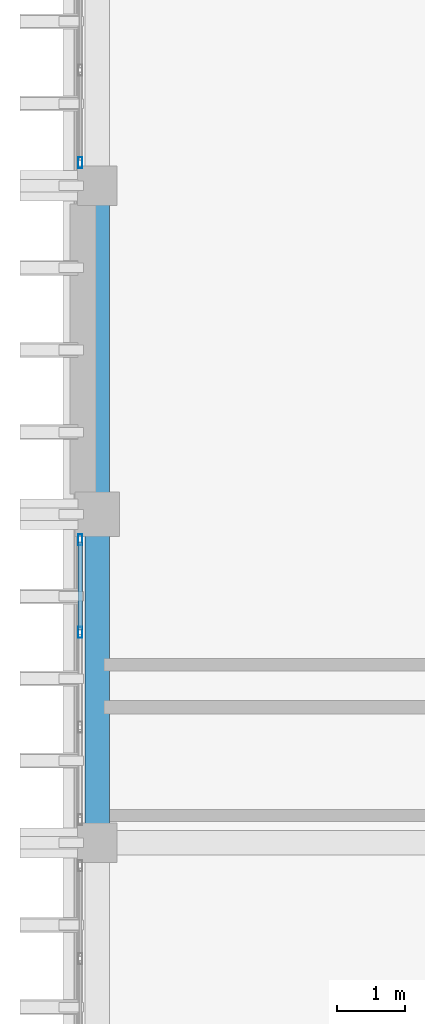
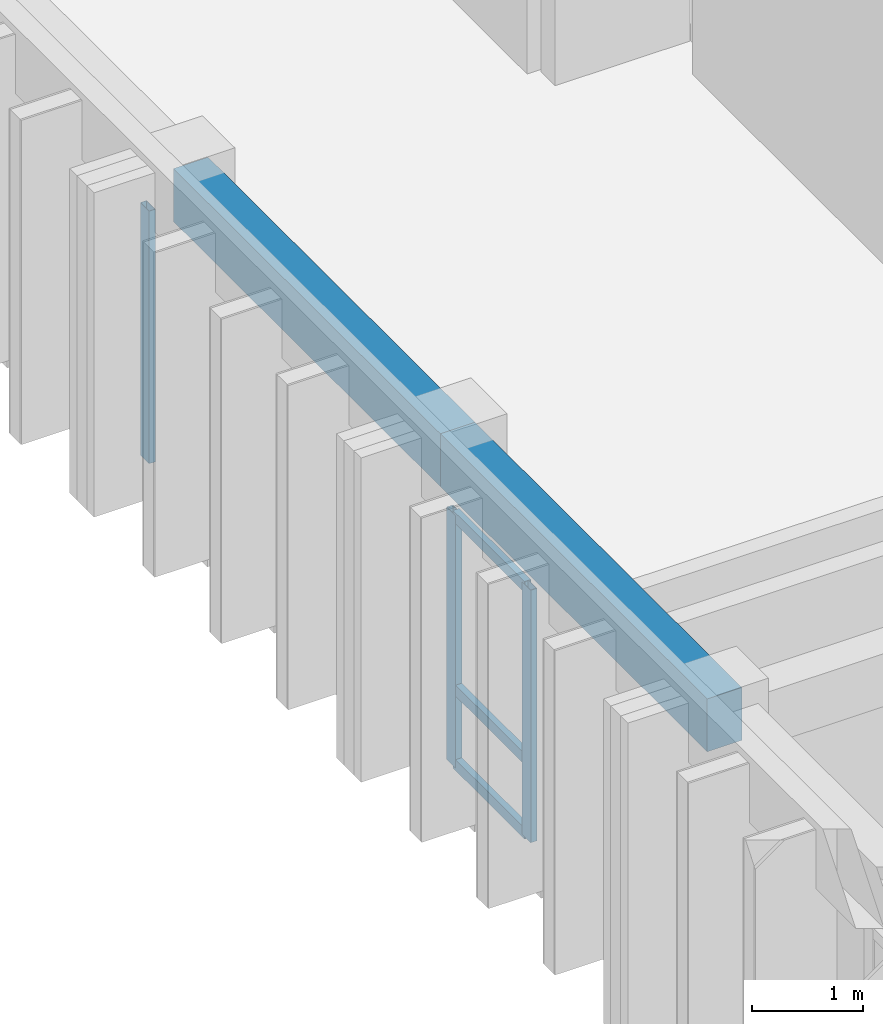
# One storey, part 26 of 49: 6 members, 2 beams, 2 elements without a shape of their own.
"""IFC4 building model written with IfcOpenShell, lengths in metres."""

from ifc_helpers import new_model, si_unit, direction, frame, origin, origin_2d, place, context, subcontext, project, spatial, rectangle, hollow_rectangle, extrude, material, layer, layer_set, material_profile, profile_set, type_object, element, aggregate, save


model = new_model("IFC4")

# Units and contexts
model_context = context("Model", 3, precision=1e-05, world=origin(), true_north=direction((0.0, 1.0)))
body_context = subcontext(model_context, "Body", "Model", "MODEL_VIEW")
ifc_project = project(units=[si_unit("LENGTHUNIT", "METRE"), si_unit("AREAUNIT", "SQUARE_METRE"), si_unit("VOLUMEUNIT", "CUBIC_METRE"), si_unit("PLANEANGLEUNIT", "RADIAN"), si_unit("MASSUNIT", "GRAM", prefix="KILO")], contexts=[model_context])

# Site, building, storey
site_placement = place(None, origin())
site = spatial("IfcSite", under=ifc_project, at=site_placement, CompositionType="ELEMENT")
building_placement = place(site_placement, origin())
building = spatial("IfcBuilding", under=site, at=building_placement, Name="Nakhvara Creek Congress Hotel", CompositionType="ELEMENT")
storey_placement = place(building_placement, frame((0.0, 0.0, 39.0)))
storey = spatial("IfcBuildingStorey", under=building, at=storey_placement, Name="L09", CompositionType="ELEMENT", Elevation=39.0)

# Beams
ifc_material_1 = material(Name="Concrete C40/50", Category="concrete")
ifc_material_profile_1 = material_profile(ifc_material_1, rectangle(XDim=0.360107421875, YDim=0.580078125, at=origin_2d()), Name="RC-BM 360x580", Category="LoadBearing")
ifc_profile_set_1 = profile_set([ifc_material_profile_1], Name="Concrete C40/50")
beam_type = type_object("IfcBeamType", Name="BM-RC-360X580", PredefinedType="BEAM", material=ifc_profile_set_1)
beam_1_placement = place(storey_placement, frame((149.449951171875, 100.800048828125, 3.070068359375), z_axis=(0.0, 1.0, 0.0), x_axis=(-1.0, 0.0, 0.0)))
element("IfcBeam", 1, at=beam_1_placement, inside=storey, type_object=beam_type, Name="Beam B09-L09-2546", PredefinedType="BEAM", context=body_context, shape_type="SweptSolid", body=[
    extrude(rectangle(XDim=0.360107421875, YDim=0.580078125, at=origin_2d()), origin(), (0.0, 0.0, 1.0), 4.800048828125),
])
beam_2_placement = place(storey_placement, frame((149.449951171875, 105.60009765625, 3.070068359375), z_axis=(0.0, 1.0, 0.0), x_axis=(-1.0, 0.0, 0.0)))
element("IfcBeam", 2, at=beam_2_placement, inside=storey, type_object=beam_type, Name="Beam B09-L09-2547", PredefinedType="BEAM", context=body_context, shape_type="SweptSolid", body=[
    extrude(rectangle(XDim=0.360107421875, YDim=0.580078125, at=origin_2d()), origin(), (0.0, 0.0, 1.0), 4.7998046875),
])

# Curtain wall, members
ifc_material_2 = material(Name="Bronze-anodised aluminium AW-6063-T6 and double-silver low-E glass", Category="aluminium")
ifc_layer = layer(ifc_material_2, 0.199951171875)
ifc_layer_set = layer_set([ifc_layer], Name="Bronze-anodised aluminium AW-6063-T6 and double-silver low-E glass")
curtain_wall_type = type_object("IfcCurtainWallType", Name="CW-HTL-UNIT", PredefinedType="USERDEFINED", material=ifc_layer_set)
curtain_wall_1_placement = place(storey_placement, origin())
curtain_wall_1 = element("IfcCurtainWall", 3, at=curtain_wall_1_placement, inside=storey, type_object=curtain_wall_type, Name="Curtain Wall CW308", ObjectType="UNITISED", PredefinedType="USERDEFINED")
ifc_material_3 = material(Name="Bronze-anodised aluminium AW-6063-T6", Category="aluminium")
ifc_material_profile_2 = material_profile(ifc_material_3, hollow_rectangle(XDim=0.06494140625, YDim=0.159912109375, WallThickness=0.00390625, at=origin_2d()), Name="ALU-MULL 65x160x4", Category="LoadBearing")
ifc_profile_set_2 = profile_set([ifc_material_profile_2], Name="Bronze-anodised aluminium AW-6063-T6")
member_type_1 = type_object("IfcMemberType", Name="CW-MULL-160", PredefinedType="MULLION", material=ifc_profile_set_2)
member_1_placement = place(storey_placement, frame((149.199951171875, 103.875, 0.0), z_axis=(0.0, 0.0, 1.0), x_axis=(-1.0, 0.0, 0.0)))
member_1 = element("IfcMember", 4, at=member_1_placement, type_object=member_type_1, Name="CW308 mullion 3", PredefinedType="MULLION", context=body_context, shape_type="SweptSolid", body=[
    extrude(hollow_rectangle(XDim=0.06494140625, YDim=0.159912109375, WallThickness=0.00390625, at=origin_2d()), origin(), (0.0, 0.0, 1.0), 2.77197265625),
])
member_2_placement = place(storey_placement, frame((149.199951171875, 105.2275390625, 0.0), z_axis=(0.0, 0.0, 1.0), x_axis=(-1.0, 0.0, 0.0)))
member_2 = element("IfcMember", 5, at=member_2_placement, type_object=member_type_1, Name="CW308 mullion 4", PredefinedType="MULLION", context=body_context, shape_type="SweptSolid", body=[
    extrude(hollow_rectangle(XDim=0.06494140625, YDim=0.159912109375, WallThickness=0.00390625, at=origin_2d()), origin(), (0.0, 0.0, 1.0), 2.77197265625),
])

# Curtain wall, member
curtain_wall_2_placement = place(storey_placement, origin())
curtain_wall_2 = element("IfcCurtainWall", 6, at=curtain_wall_2_placement, inside=storey, type_object=curtain_wall_type, Name="Curtain Wall CW310", ObjectType="UNITISED", PredefinedType="USERDEFINED")
member_3_placement = place(storey_placement, frame((149.199951171875, 110.737548828125, 0.0), z_axis=(0.0, 0.0, 1.0), x_axis=(-1.0, 0.0, 0.0)))
member_3 = element("IfcMember", 7, at=member_3_placement, type_object=member_type_1, Name="CW310 mullion 1", PredefinedType="MULLION", context=body_context, shape_type="SweptSolid", body=[
    extrude(hollow_rectangle(XDim=0.06494140625, YDim=0.159912109375, WallThickness=0.00390625, at=origin_2d()), origin(), (0.0, 0.0, 1.0), 2.77197265625),
])
aggregate(curtain_wall_2, [member_3])

# Member
ifc_material_profile_3 = material_profile(ifc_material_3, hollow_rectangle(XDim=0.06494140625, YDim=0.1201171875, WallThickness=0.00390625, at=origin_2d()), Name="ALU-TRAN 65x120x4", Category="LoadBearing")
ifc_profile_set_3 = profile_set([ifc_material_profile_3], Name="Bronze-anodised aluminium AW-6063-T6")
member_type_2 = type_object("IfcMemberType", Name="CW-TRAN-120", PredefinedType="USERDEFINED", material=ifc_profile_set_3)
member_4_placement = place(storey_placement, frame((149.199951171875, 103.907470703125, 0.032470703125), z_axis=(0.0, 1.0, 0.0), x_axis=(-1.0, 0.0, 0.0)))
member_4 = element("IfcMember", 8, at=member_4_placement, type_object=member_type_2, Name="CW308 transom 3.1", ObjectType="TRANSOM", PredefinedType="USERDEFINED", context=body_context, shape_type="SweptSolid", body=[
    extrude(hollow_rectangle(XDim=0.06494140625, YDim=0.1201171875, WallThickness=0.00390625, at=origin_2d()), origin(), (0.0, 0.0, 1.0), 1.28759765625),
])

member_5_placement = place(storey_placement, frame((149.199951171875, 103.907470703125, 0.85009765625), z_axis=(0.0, 1.0, 0.0), x_axis=(-1.0, 0.0, 0.0)))
member_5 = element("IfcMember", 9, at=member_5_placement, type_object=member_type_2, Name="CW308 transom 3.2", ObjectType="TRANSOM", PredefinedType="USERDEFINED", context=body_context, shape_type="SweptSolid", body=[
    extrude(hollow_rectangle(XDim=0.06494140625, YDim=0.1201171875, WallThickness=0.00390625, at=origin_2d()), origin(), (0.0, 0.0, 1.0), 1.28759765625),
])

member_6_placement = place(storey_placement, frame((149.199951171875, 103.907470703125, 2.739501953125), z_axis=(0.0, 1.0, 0.0), x_axis=(-1.0, 0.0, 0.0)))
member_6 = element("IfcMember", 10, at=member_6_placement, type_object=member_type_2, Name="CW308 transom 3.3", ObjectType="TRANSOM", PredefinedType="USERDEFINED", context=body_context, shape_type="SweptSolid", body=[
    extrude(hollow_rectangle(XDim=0.06494140625, YDim=0.1201171875, WallThickness=0.00390625, at=origin_2d()), origin(), (0.0, 0.0, 1.0), 1.28759765625),
])

aggregate(curtain_wall_1, [member_1, member_2, member_4, member_5, member_6])

save(model, "model.ifc")
